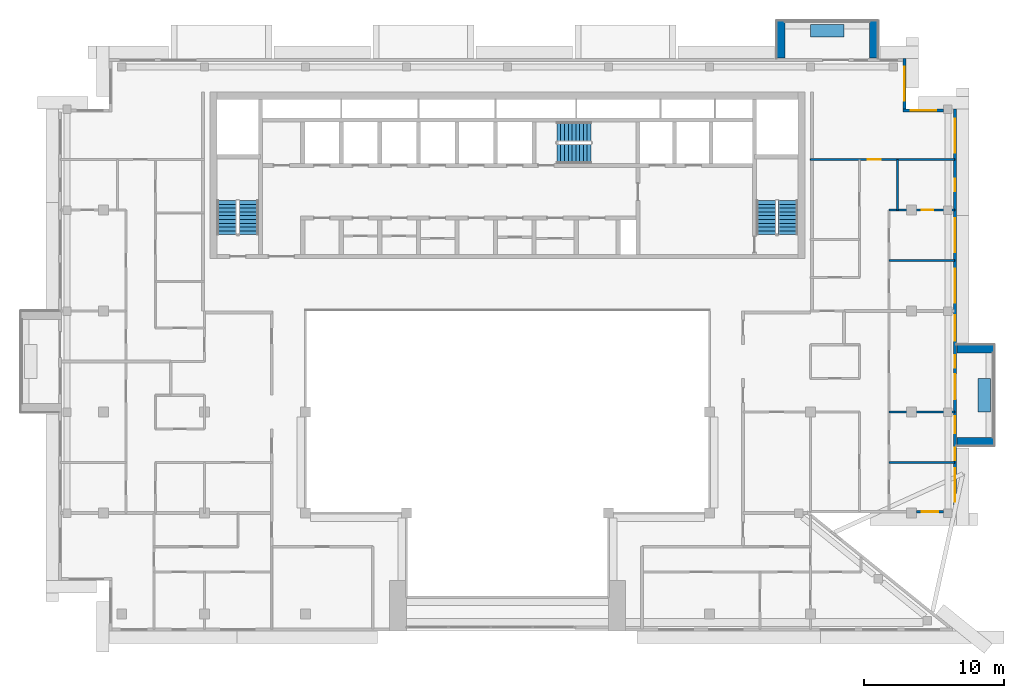
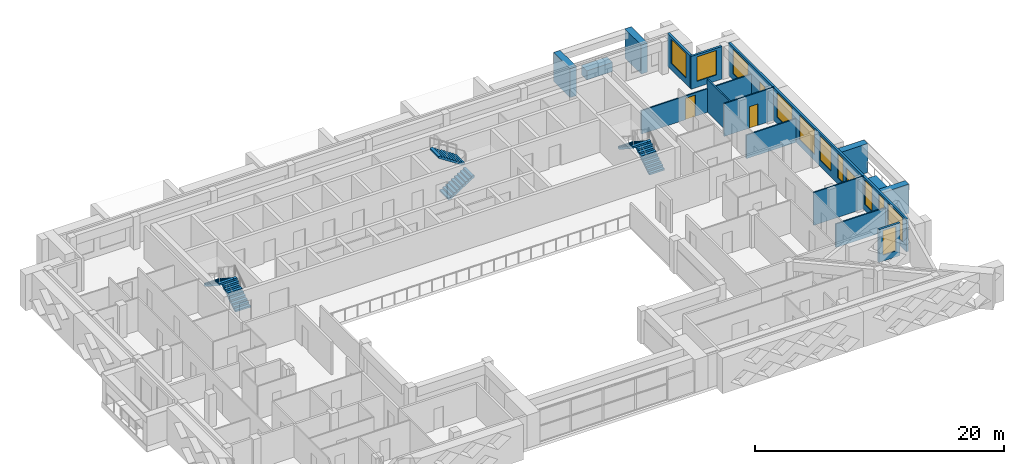
# One storey, part 11 of 18: 16 walls, 12 windows, 6 stair flights, 3 doors, 15 openings, 3 elements without a shape of their own.
"""IFC4 building model written with IfcOpenShell, lengths in metres."""

import ifcopenshell
import ifcopenshell.guid

model = None  # the IFC model being written
_history = None  # IfcOwnerHistory: only IFC2X3 demands one
_inside = {}  # id of a spatial element -> (the spatial element, [elements in it])
_under = {}  # id of a project, library or spatial element -> (it, [spatial elements below it])
_declared = {}  # id of a project -> (the project, [libraries it declares])
_typed = {}  # id of a type object -> (the type object, [elements of that type])
_made_of = {}  # id of a material, layer set ... -> (it, [elements and type objects made of it])


def new_model(schema):
    """Start an empty IFC model of exactly this schema.

    Asked for "IFC4X3", IfcOpenShell would pick the latest addendum, in which some entities
    have other attributes; the version numbers below select the first issue.
    IFC2X3 requires an IfcOwnerHistory on every rooted entity: one is made here for all.
    """
    global model, _history
    if schema == "IFC4X3":
        model = ifcopenshell.file(schema_version=(4, 3, 0, 0))
    else:
        model = ifcopenshell.file(schema=schema)
    _inside.clear()
    _under.clear()
    _declared.clear()
    _typed.clear()
    _made_of.clear()
    _history = None
    if model.schema == "IFC2X3":
        org = make("IfcOrganization", Name="unknown")
        user = make(
            "IfcPersonAndOrganization",
            ThePerson=make("IfcPerson", FamilyName="unknown"),
            TheOrganization=org,
        )
        app = make(
            "IfcApplication",
            ApplicationDeveloper=org,
            Version="unknown",
            ApplicationFullName="unknown",
            ApplicationIdentifier="unknown",
        )
        _history = make(
            "IfcOwnerHistory",
            OwningUser=user,
            OwningApplication=app,
            ChangeAction="ADDED",
            CreationDate=0,
        )
    return model


def make(cls, **values):
    """One entity of the class cls with the attributes given. An attribute that is None is left unset."""
    return model.create_entity(
        cls, **{name: value for name, value in values.items() if value is not None}
    )


def rooted(cls, **values):
    """An entity with a GlobalId (a new one), such as an element, a storey or a relation."""
    return make(cls, GlobalId=ifcopenshell.guid.new(), OwnerHistory=_history, **values)


def si_unit(unit_type, name, prefix=None):
    """IfcSIUnit, for example si_unit("LENGTHUNIT", "METRE", prefix="MILLI")."""
    return make("IfcSIUnit", UnitType=unit_type, Prefix=prefix, Name=name)


def assignment(units):
    """IfcUnitAssignment: the units of a project."""
    return None if units is None else make("IfcUnitAssignment", Units=units)


def point(xyz):
    """IfcCartesianPoint."""
    return None if xyz is None else make("IfcCartesianPoint", Coordinates=xyz)


def direction(xyz):
    """IfcDirection."""
    return None if xyz is None else make("IfcDirection", DirectionRatios=xyz)


def frame(location, z_axis=None, x_axis=None):
    """IfcAxis2Placement3D, a coordinate frame: its origin and axes. An axis left out is left unset."""
    return make(
        "IfcAxis2Placement3D",
        Location=point(location),
        Axis=direction(z_axis),
        RefDirection=direction(x_axis),
    )


def frame_2d(location, x_axis=None):
    """IfcAxis2Placement2D, a coordinate frame in the plane: its origin and x axis."""
    return make(
        "IfcAxis2Placement2D", Location=point(location), RefDirection=direction(x_axis)
    )


def origin():
    """The frame at (0, 0, 0) with its axes left unset."""
    return frame((0.0, 0.0, 0.0))


def place(relative_to, where):
    """IfcLocalPlacement: puts the frame where relative to a parent placement (None: the world)."""
    return make(
        "IfcLocalPlacement", PlacementRelTo=relative_to, RelativePlacement=where
    )


def context(
    kind, dimensions, precision=None, world=None, true_north=None, identifier=None
):
    """IfcGeometricRepresentationContext, for example the 3D "Model" context."""
    return make(
        "IfcGeometricRepresentationContext",
        ContextIdentifier=identifier,
        ContextType=kind,
        CoordinateSpaceDimension=dimensions,
        Precision=precision,
        WorldCoordinateSystem=world,
        TrueNorth=true_north,
    )


def subcontext(parent, identifier, kind, view, scale=None):
    """IfcGeometricRepresentationSubContext, for example "Body" below "Model"."""
    return make(
        "IfcGeometricRepresentationSubContext",
        ContextIdentifier=identifier,
        ContextType=kind,
        ParentContext=parent,
        TargetScale=scale,
        TargetView=view,
    )


def project(units=None, contexts=None):
    """IfcProject with its units and contexts."""
    return rooted(
        "IfcProject",
        Name="project",
        RepresentationContexts=contexts,
        UnitsInContext=assignment(units),
    )


def spatial(cls, under=None, at=None, **own):
    """A site, building, storey or space (cls), placed at a placement, below another one or the project."""
    s = rooted(cls, ObjectPlacement=at, **own)
    if under is not None:
        _under.setdefault(under.id(), (under, []))[1].append(s)
    return s


def polyline(points):
    """IfcPolyline through the points."""
    return make("IfcPolyline", Points=[point(p) for p in points])


def profile(cls, at=None, kind="AREA", **sizes):
    """A parametric profile (cls). Its sizes go by their IFC names, for example OverallWidth=200.0."""
    return make(cls, ProfileType=kind, Position=at, **sizes)


def rectangle(**sizes):
    """IfcRectangleProfileDef."""
    return profile("IfcRectangleProfileDef", **sizes)


def outline(outer, holes=None, kind="AREA"):
    """IfcArbitraryClosedProfileDef: a profile drawn as a closed curve; with holes, ...WithVoids."""
    if holes is None:
        return make("IfcArbitraryClosedProfileDef", ProfileType=kind, OuterCurve=outer)
    return make(
        "IfcArbitraryProfileDefWithVoids",
        ProfileType=kind,
        OuterCurve=outer,
        InnerCurves=holes,
    )


def extrude(swept, where, along, depth):
    """IfcExtrudedAreaSolid: the profile swept, set in the frame where, extruded along a direction by depth."""
    return make(
        "IfcExtrudedAreaSolid",
        SweptArea=swept,
        Position=where,
        ExtrudedDirection=direction(along),
        Depth=depth,
    )


def shape(context_of_items, identifier, shape_type, items):
    """IfcShapeRepresentation: the items that make up one representation, for example the "Body"."""
    return make(
        "IfcShapeRepresentation",
        ContextOfItems=context_of_items,
        RepresentationIdentifier=identifier,
        RepresentationType=shape_type,
        Items=items,
    )


def material(Name=None, Category=None):
    """IfcMaterial."""
    return make("IfcMaterial", Name=Name, Category=Category)


def layer(
    of_material, thickness, ventilated=None, Name=None, Category=None, Priority=None
):
    """IfcMaterialLayer: one layer of a wall or slab, of a material (None: an air gap)."""
    return make(
        "IfcMaterialLayer",
        Material=of_material,
        LayerThickness=thickness,
        IsVentilated=ventilated,
        Name=Name,
        Category=Category,
        Priority=Priority,
    )


def layer_set(layers, Name=None):
    """IfcMaterialLayerSet."""
    return make("IfcMaterialLayerSet", MaterialLayers=layers, LayerSetName=Name)


def made_of(thing, what):
    """Note that an element or type object is made of a material, layer set ...; save() writes the relation."""
    if what is not None:
        _made_of.setdefault(what.id(), (what, []))[1].append(thing)
    return thing


def type_object(cls, material=None, **own):
    """A type object (cls), such as IfcWallType, which elements share."""
    return made_of(rooted(cls, **own), material)


def element(
    cls,
    number,
    at=None,
    inside=None,
    cuts=None,
    type_object=None,
    material=None,
    context=None,
    identifier="Body",
    shape_type=None,
    held_by="IfcProductDefinitionShape",
    body=None,
    shapes=None,
    **own,
):
    """One element of the class cls, such as IfcWall. Its Tag is "e" and its number.

    at: its placement. inside: the storey or other place that contains it. cuts: it is an
    opening in that element (IfcRelVoidsElement). A single representation is given by context,
    identifier, shape_type and body (its items); several are given by shapes. held_by: the class
    of the entity that holds the representations. save() writes the other relations.
    """
    e = rooted(cls, Tag="e%d" % number, ObjectPlacement=at, **own)
    if body is not None:
        shapes = [shape(context, identifier, shape_type, body)]
    if shapes is not None:
        e.Representation = make(held_by, Representations=shapes)
    if inside is not None:
        _inside.setdefault(inside.id(), (inside, []))[1].append(e)
    if cuts is not None:
        rooted(
            "IfcRelVoidsElement", RelatingBuildingElement=cuts, RelatedOpeningElement=e
        )
    if type_object is not None:
        _typed.setdefault(type_object.id(), (type_object, []))[1].append(e)
    return made_of(e, material)


def fill(opening, filler):
    """IfcRelFillsElement: the door or window that sits in an opening."""
    return rooted(
        "IfcRelFillsElement",
        RelatingOpeningElement=opening,
        RelatedBuildingElement=filler,
    )


def aggregate(whole, parts):
    """IfcRelAggregates: a whole, such as a stair, and the parts it consists of."""
    return rooted("IfcRelAggregates", RelatingObject=whole, RelatedObjects=parts)


def save(model, path):
    """Write the relations noted so far, then the file.

    IfcRelAggregates (storeys below a building ...), IfcRelContainedInSpatialStructure (elements
    in a storey), IfcRelDefinesByType, IfcRelAssociatesMaterial and IfcRelDeclares: one each for
    every whole, place, type object, material and project.
    """
    for whole, parts in _under.values():
        aggregate(whole, parts)
    for where, things in _inside.values():
        rooted(
            "IfcRelContainedInSpatialStructure",
            RelatedElements=things,
            RelatingStructure=where,
        )
    for kind, things in _typed.values():
        rooted("IfcRelDefinesByType", RelatedObjects=things, RelatingType=kind)
    for what, things in _made_of.values():
        rooted("IfcRelAssociatesMaterial", RelatedObjects=things, RelatingMaterial=what)
    for by, libraries in _declared.values():
        rooted("IfcRelDeclares", RelatingContext=by, RelatedDefinitions=libraries)
    model.write(path)


model = new_model("IFC4")

# Units and contexts
model_context = context("Model", 3, precision=1e-05, world=origin(), true_north=direction((0.0, 1.0)))
body_context = subcontext(model_context, "Body", "Model", "MODEL_VIEW")
ifc_project = project(units=[si_unit("LENGTHUNIT", "METRE"), si_unit("AREAUNIT", "SQUARE_METRE"), si_unit("VOLUMEUNIT", "CUBIC_METRE"), si_unit("PLANEANGLEUNIT", "RADIAN"), si_unit("MASSUNIT", "GRAM", prefix="KILO")], contexts=[model_context])

# Site, building, storey
site_placement = place(None, origin())
site = spatial("IfcSite", under=ifc_project, at=site_placement, CompositionType="ELEMENT")
building_placement = place(site_placement, origin())
building = spatial("IfcBuilding", under=site, at=building_placement, Name="Saffron Iwan Residences", CompositionType="ELEMENT")
storey_placement = place(building_placement, frame((0.0, 0.0, 260.5)))
storey = spatial("IfcBuildingStorey", under=building, at=storey_placement, Name="L70", CompositionType="ELEMENT", Elevation=260.5)

# Walls
ifc_material_1 = material(Name="Concrete C50/60 white painted", Category="concrete")
ifc_layer_1 = layer(ifc_material_1, 0.60009765625)
ifc_layer_set_1 = layer_set([ifc_layer_1], Name="Concrete C50/60 white painted")
wall_type_1 = type_object("IfcWallType", Name="BALCONY FIN 600", PredefinedType="SOLIDWALL", material=ifc_layer_set_1)
for number, where, z_axis, x_axis, name in (
    (1, (82.449951171875, 53.10009765625, 0.0), (0.0, 0.0, 1.0), (1.0, 0.0, 0.0), "Balcony fin L70 F2-0a"),
    (2, (82.449951171875, 59.699951171875, 0.0), (0.0, 0.0, 1.0), (1.0, 0.0, 0.0), "Balcony fin L70 F2-0b"),
    (3, (76.5, 80.449951171875, 0.0), (0.0, 0.0, 1.0), (0.0, 1.0, 0.0), "Balcony fin L70 F5-0a"),
    (4, (69.89990234375, 80.449951171875, 0.0), (0.0, 0.0, 1.0), (0.0, 1.0, 0.0), "Balcony fin L70 F5-0b"),
):
    element("IfcWall", number, at=place(storey_placement, frame(where, z_axis=z_axis, x_axis=x_axis)), inside=storey, type_object=wall_type_1, Name=name, PredefinedType="SOLIDWALL", context=body_context, shape_type="SweptSolid", body=[
        extrude(rectangle(XDim=2.650146484375, YDim=0.60009765625, at=frame_2d((1.3251953125, 0.0))), origin(), (0.0, 0.0, 1.0), 2.85009765625),
    ])
ifc_material_2 = material(Name="Concrete C35/45 white painted", Category="concrete")
ifc_layer_2 = layer(ifc_material_2, 0.14990234375)
ifc_layer_set_2 = layer_set([ifc_layer_2], Name="Concrete C35/45 white painted")
wall_type_2 = type_object("IfcWallType", Name="BALCONY PLANTER", PredefinedType="SOLIDWALL", material=ifc_layer_set_2)
wall_1_placement = place(storey_placement, frame((84.375, 55.199951171875, 0.0), z_axis=(0.0, 0.0, 1.0), x_axis=(0.0, 1.0, 0.0)))
element("IfcWall", 5, at=wall_1_placement, inside=storey, type_object=wall_type_2, Name="PLANTER L70 F2-0", PredefinedType="SOLIDWALL", context=body_context, shape_type="SweptSolid", body=[
    extrude(rectangle(XDim=2.400146484375, YDim=0.89990234375, at=frame_2d((1.2001953125, 0.0))), origin(), (0.0, 0.0, 1.0), 0.89990234375),
])
wall_2_placement = place(storey_placement, frame((74.39990234375, 82.375, 0.0), z_axis=(0.0, 0.0, 1.0), x_axis=(-1.0, 0.0, 0.0)))
element("IfcWall", 6, at=wall_2_placement, inside=storey, type_object=wall_type_2, Name="PLANTER L70 F5-0", PredefinedType="SOLIDWALL", context=body_context, shape_type="SweptSolid", body=[
    extrude(rectangle(XDim=2.39990234375, YDim=0.89990234375, at=frame_2d((1.199951171875, 0.0))), origin(), (0.0, 0.0, 1.0), 0.89990234375),
])

# Wall, opening, window
ifc_material_3 = material(Name="Concrete C40/50", Category="concrete")
ifc_layer_3 = layer(ifc_material_3, 0.199951171875)
ifc_layer_set_3 = layer_set([ifc_layer_3], Name="Concrete C40/50")
wall_type_3 = type_object("IfcWallType", Name="EXTERNAL WALL 200", PredefinedType="SOLIDWALL", material=ifc_layer_set_3)
wall_3_placement = place(storey_placement, frame((79.550048828125, 48.10009765625, 0.0), z_axis=(0.0, 0.0, 1.0), x_axis=(1.0, 0.0, 0.0)))
wall_3 = element("IfcWall", 7, at=wall_3_placement, inside=storey, type_object=wall_type_3, Name="External wall L70 F1.1", PredefinedType="SOLIDWALL", context=body_context, shape_type="SweptSolid", body=[
    extrude(rectangle(XDim=1.949951171875, YDim=0.199951171875, at=frame_2d((0.97509765625, 0.0))), origin(), (0.0, 0.0, 1.0), 3.219970703125),
])
opening_1_placement = place(wall_3_placement, frame((0.375, 0.0, 0.60009765625)))
opening_1 = element("IfcOpeningElement", 8, at=opening_1_placement, cuts=wall_3, Name="Opening W3", PredefinedType="OPENING", context=body_context, shape_type="SweptSolid", body=[
    extrude(rectangle(XDim=1.199951171875, YDim=2.39990234375, at=frame_2d((0.60009765625, 1.199951171875))), frame((0.0, 0.10986328125, 0.0), z_axis=(0.0, -1.0, 0.0), x_axis=(1.0, 0.0, 0.0)), (0.0, 0.0, 1.0), 0.219970703125),
])
ifc_material_4 = material(Name="Clear glass, laminated double glazed", Category="glass")
window_type_1 = type_object("IfcWindowType", Name="WINDOW 1200 x 2400", PartitioningType="SINGLE_PANEL", PredefinedType="WINDOW", material=ifc_material_4)
window_1_placement = place(opening_1_placement, origin())
window_1 = element("IfcWindow", 9, at=window_1_placement, inside=storey, type_object=window_type_1, Name="Window L70 F1.0", OverallHeight=2.39990234375, OverallWidth=1.199951171875, PartitioningType="SINGLE_PANEL", PredefinedType="WINDOW", context=body_context, shape_type="SweptSolid", body=[
    extrude(rectangle(XDim=1.199951171875, YDim=2.39990234375, at=frame_2d((0.60009765625, 1.199951171875))), frame((0.0, 0.030029296875, 0.0), z_axis=(0.0, -1.0, 0.0), x_axis=(1.0, 0.0, 0.0)), (0.0, 0.0, 1.0), 0.06005859375),
])
fill(opening_1, window_1)

# Wall, openings, door, windows
wall_4_placement = place(storey_placement, frame((82.300048828125, 48.199951171875, 0.0), z_axis=(0.0, 0.0, 1.0), x_axis=(0.0, 1.0, 0.0)))
wall_4 = element("IfcWall", 10, at=wall_4_placement, inside=storey, type_object=wall_type_3, Name="External wall L70 F2.0", PredefinedType="SOLIDWALL", context=body_context, shape_type="SweptSolid", body=[
    extrude(rectangle(XDim=28.60009765625, YDim=0.199951171875, at=frame_2d((14.300048828125, 0.0))), origin(), (0.0, 0.0, 1.0), 3.219970703125),
])
opening_2_placement = place(wall_4_placement, frame((7.89990234375, 0.0, 0.0)))
opening_2 = element("IfcOpeningElement", 11, at=opening_2_placement, cuts=wall_4, Name="Opening BD1", PredefinedType="OPENING", context=body_context, shape_type="SweptSolid", body=[
    extrude(rectangle(XDim=1.800048828125, YDim=2.39990234375, at=frame_2d((0.89990234375, 1.199951171875))), frame((0.0, 0.10986328125, 0.0), z_axis=(0.0, -1.0, 0.0), x_axis=(1.0, 0.0, 0.0)), (0.0, 0.0, 1.0), 0.219970703125),
])
opening_3_placement = place(wall_4_placement, frame((0.60009765625, 0.0, 0.60009765625)))
opening_3 = element("IfcOpeningElement", 12, at=opening_3_placement, cuts=wall_4, Name="Opening W1", PredefinedType="OPENING", context=body_context, shape_type="SweptSolid", body=[
    extrude(rectangle(XDim=2.39990234375, YDim=2.39990234375, at=frame_2d((1.199951171875, 1.199951171875))), frame((0.0, 0.10986328125, 0.0), z_axis=(0.0, -1.0, 0.0), x_axis=(1.0, 0.0, 0.0)), (0.0, 0.0, 1.0), 0.219970703125),
])
opening_4_placement = place(wall_4_placement, frame((3.550048828125, 0.0, 0.60009765625)))
opening_4 = element("IfcOpeningElement", 13, at=opening_4_placement, cuts=wall_4, Name="Opening W10", PredefinedType="OPENING", context=body_context, shape_type="SweptSolid", body=[
    extrude(rectangle(XDim=0.89990234375, YDim=2.39990234375, at=frame_2d((0.449951171875, 1.199951171875))), frame((0.0, 0.10986328125, 0.0), z_axis=(0.0, -1.0, 0.0), x_axis=(1.0, 0.0, 0.0)), (0.0, 0.0, 1.0), 0.219970703125),
])
opening_5_placement = place(wall_4_placement, frame((5.5, 0.0, 0.60009765625)))
opening_5 = element("IfcOpeningElement", 14, at=opening_5_placement, cuts=wall_4, Name="Opening W3", PredefinedType="OPENING", context=body_context, shape_type="SweptSolid", body=[
    extrude(rectangle(XDim=1.199951171875, YDim=2.39990234375, at=frame_2d((0.60009765625, 1.199951171875))), frame((0.0, 0.10986328125, 0.0), z_axis=(0.0, -1.0, 0.0), x_axis=(1.0, 0.0, 0.0)), (0.0, 0.0, 1.0), 0.219970703125),
])
opening_6_placement = place(wall_4_placement, frame((10.14990234375, 0.0, 0.60009765625)))
opening_6 = element("IfcOpeningElement", 15, at=opening_6_placement, cuts=wall_4, Name="Opening W10", PredefinedType="OPENING", context=body_context, shape_type="SweptSolid", body=[
    extrude(rectangle(XDim=0.89990234375, YDim=2.39990234375, at=frame_2d((0.449951171875, 1.199951171875))), frame((0.0, 0.10986328125, 0.0), z_axis=(0.0, -1.0, 0.0), x_axis=(1.0, 0.0, 0.0)), (0.0, 0.0, 1.0), 0.219970703125),
])
opening_7_placement = place(wall_4_placement, frame((12.10009765625, 0.0, 0.60009765625)))
opening_7 = element("IfcOpeningElement", 16, at=opening_7_placement, cuts=wall_4, Name="Opening W8", PredefinedType="OPENING", context=body_context, shape_type="SweptSolid", body=[
    extrude(rectangle(XDim=1.800048828125, YDim=2.39990234375, at=frame_2d((0.89990234375, 1.199951171875))), frame((0.0, 0.10986328125, 0.0), z_axis=(0.0, -1.0, 0.0), x_axis=(1.0, 0.0, 0.0)), (0.0, 0.0, 1.0), 0.219970703125),
])
opening_8_placement = place(wall_4_placement, frame((14.800048828125, 0.0, 0.60009765625)))
opening_8 = element("IfcOpeningElement", 17, at=opening_8_placement, cuts=wall_4, Name="Opening W1", PredefinedType="OPENING", context=body_context, shape_type="SweptSolid", body=[
    extrude(rectangle(XDim=2.39990234375, YDim=2.39990234375, at=frame_2d((1.199951171875, 1.199951171875))), frame((0.0, 0.10986328125, 0.0), z_axis=(0.0, -1.0, 0.0), x_axis=(1.0, 0.0, 0.0)), (0.0, 0.0, 1.0), 0.219970703125),
])
opening_9_placement = place(wall_4_placement, frame((18.39990234375, 0.0, 0.60009765625)))
opening_9 = element("IfcOpeningElement", 18, at=opening_9_placement, cuts=wall_4, Name="Opening W1", PredefinedType="OPENING", context=body_context, shape_type="SweptSolid", body=[
    extrude(rectangle(XDim=2.39990234375, YDim=2.39990234375, at=frame_2d((1.199951171875, 1.199951171875))), frame((0.0, 0.10986328125, 0.0), z_axis=(0.0, -1.0, 0.0), x_axis=(1.0, 0.0, 0.0)), (0.0, 0.0, 1.0), 0.219970703125),
])
opening_10_placement = place(wall_4_placement, frame((22.75, 0.0, 1.5)))
opening_10 = element("IfcOpeningElement", 19, at=opening_10_placement, cuts=wall_4, Name="Opening W6", PredefinedType="OPENING", context=body_context, shape_type="SweptSolid", body=[
    extrude(rectangle(XDim=0.89990234375, YDim=0.89990234375, at=frame_2d((0.449951171875, 0.449951171875))), frame((0.0, 0.10986328125, 0.0), z_axis=(0.0, -1.0, 0.0), x_axis=(1.0, 0.0, 0.0)), (0.0, 0.0, 1.0), 0.219970703125),
])
opening_11_placement = place(wall_4_placement, frame((25.5, 0.0, 0.60009765625)))
opening_11 = element("IfcOpeningElement", 20, at=opening_11_placement, cuts=wall_4, Name="Opening W1", PredefinedType="OPENING", context=body_context, shape_type="SweptSolid", body=[
    extrude(rectangle(XDim=2.39990234375, YDim=2.39990234375, at=frame_2d((1.199951171875, 1.199951171875))), frame((0.0, 0.10986328125, 0.0), z_axis=(0.0, -1.0, 0.0), x_axis=(1.0, 0.0, 0.0)), (0.0, 0.0, 1.0), 0.219970703125),
])
door_type_1 = type_object("IfcDoorType", Name="BALCONY DOOR 1800 x 2400", OperationType="DOUBLE_DOOR_SLIDING", PredefinedType="DOOR", material=ifc_material_4)
door_1_placement = place(opening_2_placement, origin())
door_1 = element("IfcDoor", 21, at=door_1_placement, inside=storey, type_object=door_type_1, Name="Balcony door L70 F2.0", OperationType="DOUBLE_DOOR_SLIDING", OverallHeight=2.39990234375, OverallWidth=1.800048828125, PredefinedType="DOOR", context=body_context, shape_type="SweptSolid", body=[
    extrude(rectangle(XDim=1.800048828125, YDim=2.39990234375, at=frame_2d((0.89990234375, 1.199951171875))), frame((0.0, 0.02490234375, 0.0), z_axis=(0.0, -1.0, 0.0), x_axis=(1.0, 0.0, 0.0)), (0.0, 0.0, 1.0), 0.050048828125),
])
fill(opening_2, door_1)
window_2_placement = place(opening_5_placement, origin())
window_2 = element("IfcWindow", 22, at=window_2_placement, inside=storey, type_object=window_type_1, Name="Window L70 F2.3", OverallHeight=2.39990234375, OverallWidth=1.199951171875, PartitioningType="SINGLE_PANEL", PredefinedType="WINDOW", context=body_context, shape_type="SweptSolid", body=[
    extrude(rectangle(XDim=1.199951171875, YDim=2.39990234375, at=frame_2d((0.60009765625, 1.199951171875))), frame((0.0, 0.030029296875, 0.0), z_axis=(0.0, -1.0, 0.0), x_axis=(1.0, 0.0, 0.0)), (0.0, 0.0, 1.0), 0.06005859375),
])
fill(opening_5, window_2)
window_type_2 = type_object("IfcWindowType", Name="WINDOW 1800 x 2400", PartitioningType="DOUBLE_PANEL_VERTICAL", PredefinedType="WINDOW", material=ifc_material_4)
window_3_placement = place(opening_7_placement, origin())
window_3 = element("IfcWindow", 23, at=window_3_placement, inside=storey, type_object=window_type_2, Name="Window L70 F2.5", OverallHeight=2.39990234375, OverallWidth=1.800048828125, PartitioningType="DOUBLE_PANEL_VERTICAL", PredefinedType="WINDOW", context=body_context, shape_type="SweptSolid", body=[
    extrude(rectangle(XDim=1.800048828125, YDim=2.39990234375, at=frame_2d((0.89990234375, 1.199951171875))), frame((0.0, 0.030029296875, 0.0), z_axis=(0.0, -1.0, 0.0), x_axis=(1.0, 0.0, 0.0)), (0.0, 0.0, 1.0), 0.06005859375),
])
fill(opening_7, window_3)
window_type_3 = type_object("IfcWindowType", Name="WINDOW 2400 x 2400", PartitioningType="DOUBLE_PANEL_VERTICAL", PredefinedType="WINDOW", material=ifc_material_4)
window_4_placement = place(opening_3_placement, origin())
window_4 = element("IfcWindow", 24, at=window_4_placement, inside=storey, type_object=window_type_3, Name="Window L70 F2.1", OverallHeight=2.39990234375, OverallWidth=2.39990234375, PartitioningType="DOUBLE_PANEL_VERTICAL", PredefinedType="WINDOW", context=body_context, shape_type="SweptSolid", body=[
    extrude(rectangle(XDim=2.39990234375, YDim=2.39990234375, at=frame_2d((1.199951171875, 1.199951171875))), frame((0.0, 0.030029296875, 0.0), z_axis=(0.0, -1.0, 0.0), x_axis=(1.0, 0.0, 0.0)), (0.0, 0.0, 1.0), 0.06005859375),
])
fill(opening_3, window_4)
window_5_placement = place(opening_8_placement, origin())
window_5 = element("IfcWindow", 25, at=window_5_placement, inside=storey, type_object=window_type_3, Name="Window L70 F2.6", OverallHeight=2.39990234375, OverallWidth=2.39990234375, PartitioningType="DOUBLE_PANEL_VERTICAL", PredefinedType="WINDOW", context=body_context, shape_type="SweptSolid", body=[
    extrude(rectangle(XDim=2.39990234375, YDim=2.39990234375, at=frame_2d((1.199951171875, 1.199951171875))), frame((0.0, 0.030029296875, 0.0), z_axis=(0.0, -1.0, 0.0), x_axis=(1.0, 0.0, 0.0)), (0.0, 0.0, 1.0), 0.06005859375),
])
fill(opening_8, window_5)
window_6_placement = place(opening_9_placement, origin())
window_6 = element("IfcWindow", 26, at=window_6_placement, inside=storey, type_object=window_type_3, Name="Window L70 F2.7", OverallHeight=2.39990234375, OverallWidth=2.39990234375, PartitioningType="DOUBLE_PANEL_VERTICAL", PredefinedType="WINDOW", context=body_context, shape_type="SweptSolid", body=[
    extrude(rectangle(XDim=2.39990234375, YDim=2.39990234375, at=frame_2d((1.199951171875, 1.199951171875))), frame((0.0, 0.030029296875, 0.0), z_axis=(0.0, -1.0, 0.0), x_axis=(1.0, 0.0, 0.0)), (0.0, 0.0, 1.0), 0.06005859375),
])
fill(opening_9, window_6)
window_7_placement = place(opening_11_placement, origin())
window_7 = element("IfcWindow", 27, at=window_7_placement, inside=storey, type_object=window_type_3, Name="Window L70 F2.9", OverallHeight=2.39990234375, OverallWidth=2.39990234375, PartitioningType="DOUBLE_PANEL_VERTICAL", PredefinedType="WINDOW", context=body_context, shape_type="SweptSolid", body=[
    extrude(rectangle(XDim=2.39990234375, YDim=2.39990234375, at=frame_2d((1.199951171875, 1.199951171875))), frame((0.0, 0.030029296875, 0.0), z_axis=(0.0, -1.0, 0.0), x_axis=(1.0, 0.0, 0.0)), (0.0, 0.0, 1.0), 0.06005859375),
])
fill(opening_11, window_7)
window_type_4 = type_object("IfcWindowType", Name="WINDOW 900 x 2400", PartitioningType="SINGLE_PANEL", PredefinedType="WINDOW", material=ifc_material_4)
window_8_placement = place(opening_4_placement, origin())
window_8 = element("IfcWindow", 28, at=window_8_placement, inside=storey, type_object=window_type_4, Name="Window L70 F2.2", OverallHeight=2.39990234375, OverallWidth=0.89990234375, PartitioningType="SINGLE_PANEL", PredefinedType="WINDOW", context=body_context, shape_type="SweptSolid", body=[
    extrude(rectangle(XDim=0.89990234375, YDim=2.39990234375, at=frame_2d((0.449951171875, 1.199951171875))), frame((0.0, 0.030029296875, 0.0), z_axis=(0.0, -1.0, 0.0), x_axis=(1.0, 0.0, 0.0)), (0.0, 0.0, 1.0), 0.06005859375),
])
fill(opening_4, window_8)
window_9_placement = place(opening_6_placement, origin())
window_9 = element("IfcWindow", 29, at=window_9_placement, inside=storey, type_object=window_type_4, Name="Window L70 F2.4", OverallHeight=2.39990234375, OverallWidth=0.89990234375, PartitioningType="SINGLE_PANEL", PredefinedType="WINDOW", context=body_context, shape_type="SweptSolid", body=[
    extrude(rectangle(XDim=0.89990234375, YDim=2.39990234375, at=frame_2d((0.449951171875, 1.199951171875))), frame((0.0, 0.030029296875, 0.0), z_axis=(0.0, -1.0, 0.0), x_axis=(1.0, 0.0, 0.0)), (0.0, 0.0, 1.0), 0.06005859375),
])
fill(opening_6, window_9)
window_type_5 = type_object("IfcWindowType", Name="WINDOW 900 x 900 BATH", PartitioningType="SINGLE_PANEL", PredefinedType="WINDOW", material=ifc_material_4)
window_10_placement = place(opening_10_placement, origin())
window_10 = element("IfcWindow", 30, at=window_10_placement, inside=storey, type_object=window_type_5, Name="Window L70 F2.8", OverallHeight=0.89990234375, OverallWidth=0.89990234375, PartitioningType="SINGLE_PANEL", PredefinedType="WINDOW", context=body_context, shape_type="SweptSolid", body=[
    extrude(rectangle(XDim=0.89990234375, YDim=0.89990234375, at=frame_2d((0.449951171875, 0.449951171875))), frame((0.0, 0.030029296875, 0.0), z_axis=(0.0, -1.0, 0.0), x_axis=(1.0, 0.0, 0.0)), (0.0, 0.0, 1.0), 0.06005859375),
])
fill(opening_10, window_10)

# Wall, opening, window
wall_5_placement = place(storey_placement, frame((81.5, 76.699951171875, 0.0), z_axis=(0.0, 0.0, 1.0), x_axis=(-1.0, 0.0, 0.0)))
wall_5 = element("IfcWall", 31, at=wall_5_placement, inside=storey, type_object=wall_type_3, Name="External wall L70 F3.0", PredefinedType="SOLIDWALL", context=body_context, shape_type="SweptSolid", body=[
    extrude(rectangle(XDim=2.89990234375, YDim=0.199951171875, at=frame_2d((1.449951171875, 0.0))), origin(), (0.0, 0.0, 1.0), 3.219970703125),
])
opening_12_placement = place(wall_5_placement, frame((0.550048828125, 0.0, 0.60009765625)))
opening_12 = element("IfcOpeningElement", 32, at=opening_12_placement, cuts=wall_5, Name="Opening W8", PredefinedType="OPENING", context=body_context, shape_type="SweptSolid", body=[
    extrude(rectangle(XDim=1.800048828125, YDim=2.39990234375, at=frame_2d((0.89990234375, 1.199951171875))), frame((0.0, 0.10986328125, 0.0), z_axis=(0.0, -1.0, 0.0), x_axis=(1.0, 0.0, 0.0)), (0.0, 0.0, 1.0), 0.219970703125),
])
window_11_placement = place(opening_12_placement, origin())
window_11 = element("IfcWindow", 33, at=window_11_placement, inside=storey, type_object=window_type_2, Name="Window L70 F3.0", OverallHeight=2.39990234375, OverallWidth=1.800048828125, PartitioningType="DOUBLE_PANEL_VERTICAL", PredefinedType="WINDOW", context=body_context, shape_type="SweptSolid", body=[
    extrude(rectangle(XDim=1.800048828125, YDim=2.39990234375, at=frame_2d((0.89990234375, 1.199951171875))), frame((0.0, 0.030029296875, 0.0), z_axis=(0.0, -1.0, 0.0), x_axis=(1.0, 0.0, 0.0)), (0.0, 0.0, 1.0), 0.06005859375),
])
fill(opening_12, window_11)

wall_6_placement = place(storey_placement, frame((78.699951171875, 76.800048828125, 0.0), z_axis=(0.0, 0.0, 1.0), x_axis=(0.0, 1.0, 0.0)))
wall_6 = element("IfcWall", 34, at=wall_6_placement, inside=storey, type_object=wall_type_3, Name="External wall L70 F4.0", PredefinedType="SOLIDWALL", context=body_context, shape_type="SweptSolid", body=[
    extrude(rectangle(XDim=3.599853515625, YDim=0.199951171875, at=frame_2d((1.7998046875, 0.0))), origin(), (0.0, 0.0, 1.0), 3.219970703125),
])
opening_13_placement = place(wall_6_placement, frame((0.60009765625, 0.0, 0.60009765625)))
opening_13 = element("IfcOpeningElement", 35, at=opening_13_placement, cuts=wall_6, Name="Opening W1", PredefinedType="OPENING", context=body_context, shape_type="SweptSolid", body=[
    extrude(rectangle(XDim=2.39990234375, YDim=2.39990234375, at=frame_2d((1.199951171875, 1.199951171875))), frame((0.0, 0.10986328125, 0.0), z_axis=(0.0, -1.0, 0.0), x_axis=(1.0, 0.0, 0.0)), (0.0, 0.0, 1.0), 0.219970703125),
])
window_12_placement = place(opening_13_placement, origin())
window_12 = element("IfcWindow", 36, at=window_12_placement, inside=storey, type_object=window_type_3, Name="Window L70 F4.0", OverallHeight=2.39990234375, OverallWidth=2.39990234375, PartitioningType="DOUBLE_PANEL_VERTICAL", PredefinedType="WINDOW", context=body_context, shape_type="SweptSolid", body=[
    extrude(rectangle(XDim=2.39990234375, YDim=2.39990234375, at=frame_2d((1.199951171875, 1.199951171875))), frame((0.0, 0.030029296875, 0.0), z_axis=(0.0, -1.0, 0.0), x_axis=(1.0, 0.0, 0.0)), (0.0, 0.0, 1.0), 0.06005859375),
])
fill(opening_13, window_12)

# Walls
ifc_material_5 = material(Name="Gypsum board partition")
ifc_layer_4 = layer(ifc_material_5, 0.1201171875)
ifc_layer_set_4 = layer_set([ifc_layer_4], Name="Gypsum board partition")
wall_type_4 = type_object("IfcWallType", Name="Flat partition 120", PredefinedType="PARTITIONING", material=ifc_layer_set_4)
wall_7_placement = place(storey_placement, frame((77.60009765625, 51.60009765625, 0.0), z_axis=(0.0, 0.0, 1.0), x_axis=(1.0, 0.0, 0.0)))
element("IfcWall", 37, at=wall_7_placement, inside=storey, type_object=wall_type_4, Name="W-L70-PART-h51.6-77.6", PredefinedType="PARTITIONING", context=body_context, shape_type="SweptSolid", body=[
    extrude(rectangle(XDim=4.6748046875, YDim=0.1201171875, at=frame_2d((2.33740234375, 0.0))), origin(), (0.0, 0.0, 1.0), 2.320068359375),
])
wall_8_placement = place(storey_placement, frame((77.60009765625, 55.199951171875, 0.0), z_axis=(0.0, 0.0, 1.0), x_axis=(1.0, 0.0, 0.0)))
element("IfcWall", 38, at=wall_8_placement, inside=storey, type_object=wall_type_4, Name="W-L70-PART-h55.2-77.6", PredefinedType="PARTITIONING", context=body_context, shape_type="SweptSolid", body=[
    extrude(rectangle(XDim=4.6748046875, YDim=0.1201171875, at=frame_2d((2.33740234375, 0.0))), origin(), (0.0, 0.0, 1.0), 3.219970703125),
])
wall_9_placement = place(storey_placement, frame((77.60009765625, 66.0, 0.0), z_axis=(0.0, 0.0, 1.0), x_axis=(1.0, 0.0, 0.0)))
element("IfcWall", 39, at=wall_9_placement, inside=storey, type_object=wall_type_4, Name="W-L70-PART-h66-77.6", PredefinedType="PARTITIONING", context=body_context, shape_type="SweptSolid", body=[
    extrude(rectangle(XDim=4.6748046875, YDim=0.1201171875, at=frame_2d((2.33740234375, 0.0))), origin(), (0.0, 0.0, 1.0), 2.320068359375),
])

# Wall, opening, door
wall_10_placement = place(storey_placement, frame((77.60009765625, 69.60009765625, 0.0), z_axis=(0.0, 0.0, 1.0), x_axis=(1.0, 0.0, 0.0)))
wall_10 = element("IfcWall", 40, at=wall_10_placement, inside=storey, type_object=wall_type_4, Name="W-L70-PART-h69.6-77.6", PredefinedType="PARTITIONING", context=body_context, shape_type="SweptSolid", body=[
    extrude(rectangle(XDim=4.6748046875, YDim=0.1201171875, at=frame_2d((2.33740234375, 0.0))), origin(), (0.0, 0.0, 1.0), 3.219970703125),
])
opening_14_placement = place(wall_10_placement, frame((2.33740234375, 0.0, 0.0)))
opening_14 = element("IfcOpeningElement", 41, at=opening_14_placement, cuts=wall_10, Name="Opening FD3", PredefinedType="OPENING", context=body_context, shape_type="SweptSolid", body=[
    extrude(rectangle(XDim=0.800048828125, YDim=2.10009765625, at=frame_2d((0.39990234375, 1.050048828125))), frame((0.0, 0.070068359375, 0.0), z_axis=(0.0, -1.0, 0.0), x_axis=(1.0, 0.0, 0.0)), (0.0, 0.0, 1.0), 0.14013671875),
])
ifc_material_6 = material(Name="Timber door", Category="wood")
door_type_2 = type_object("IfcDoorType", Name="Bathroom door 800", OperationType="NOTDEFINED", PredefinedType="DOOR", material=ifc_material_6)
door_2_placement = place(opening_14_placement, origin())
door_2 = element("IfcDoor", 42, at=door_2_placement, inside=storey, type_object=door_type_2, Name="Door L70-033", OperationType="SINGLE_SWING_LEFT", OverallHeight=2.10009765625, OverallWidth=0.800048828125, PredefinedType="DOOR", context=body_context, shape_type="SweptSolid", body=[
    extrude(rectangle(XDim=0.800048828125, YDim=2.10009765625, at=frame_2d((0.39990234375, 1.050048828125))), frame((0.0, 0.02490234375, 0.0), z_axis=(0.0, -1.0, 0.0), x_axis=(1.0, 0.0, 0.0)), (0.0, 0.0, 1.0), 0.050048828125),
])
fill(opening_14, door_2)

wall_11_placement = place(storey_placement, frame((72.0, 73.199951171875, 0.0), z_axis=(0.0, 0.0, 1.0), x_axis=(1.0, 0.0, 0.0)))
wall_11 = element("IfcWall", 43, at=wall_11_placement, inside=storey, type_object=wall_type_4, Name="W-L70-PART-h73.2-72", PredefinedType="PARTITIONING", context=body_context, shape_type="SweptSolid", body=[
    extrude(rectangle(XDim=10.27490234375, YDim=0.1201171875, at=frame_2d((5.137451171875, 0.0))), origin(), (0.0, 0.0, 1.0), 2.320068359375),
])
opening_15_placement = place(wall_11_placement, frame((4.10009765625, 0.0, 0.0)))
opening_15 = element("IfcOpeningElement", 44, at=opening_15_placement, cuts=wall_11, Name="Opening FD2", PredefinedType="OPENING", context=body_context, shape_type="SweptSolid", body=[
    extrude(rectangle(XDim=0.89990234375, YDim=2.10009765625, at=frame_2d((0.449951171875, 1.050048828125))), frame((0.0, 0.070068359375, 0.0), z_axis=(0.0, -1.0, 0.0), x_axis=(1.0, 0.0, 0.0)), (0.0, 0.0, 1.0), 0.14013671875),
])
door_type_3 = type_object("IfcDoorType", Name="Flat door 900", OperationType="NOTDEFINED", PredefinedType="DOOR", material=ifc_material_6)
door_3_placement = place(opening_15_placement, origin())
door_3 = element("IfcDoor", 45, at=door_3_placement, inside=storey, type_object=door_type_3, Name="Door L70-034", OperationType="SINGLE_SWING_LEFT", OverallHeight=2.10009765625, OverallWidth=0.89990234375, PredefinedType="DOOR", context=body_context, shape_type="SweptSolid", body=[
    extrude(rectangle(XDim=0.89990234375, YDim=2.10009765625, at=frame_2d((0.449951171875, 1.050048828125))), frame((0.0, 0.02490234375, 0.0), z_axis=(0.0, -1.0, 0.0), x_axis=(1.0, 0.0, 0.0)), (0.0, 0.0, 1.0), 0.050048828125),
])
fill(opening_15, door_3)

# Wall
wall_12_placement = place(storey_placement, frame((78.199951171875, 69.60009765625, 0.0), z_axis=(0.0, 0.0, 1.0), x_axis=(0.0, 1.0, 0.0)))
element("IfcWall", 46, at=wall_12_placement, inside=storey, type_object=wall_type_4, Name="W-L70-PART-v78.2-69.6", PredefinedType="PARTITIONING", context=body_context, shape_type="SweptSolid", body=[
    extrude(rectangle(XDim=3.599853515625, YDim=0.1201171875, at=frame_2d((1.7998046875, 0.0))), origin(), (0.0, 0.0, 1.0), 3.219970703125),
])

# Stair, stair flights
ifc_material_7 = material(Name="Concrete C50/60", Category="concrete")
stair_type = type_object("IfcStairType", Name="Stair ST-CORE", PredefinedType="HALF_TURN_STAIR", material=ifc_material_7)
stair_1_placement = place(storey_placement, origin())
stair_1 = element("IfcStair", 47, at=stair_1_placement, inside=storey, type_object=stair_type, Name="L70 Exit Stair ST-W", PredefinedType="HALF_TURN_STAIR")
ifc_layer_5 = layer(ifc_material_7, 0.14990234375)
ifc_layer_set_5 = layer_set([ifc_layer_5], Name="Concrete C50/60")
stair_flight_type = type_object("IfcStairFlightType", Name="Stair flight SFL-RC", PredefinedType="STRAIGHT", material=ifc_layer_set_5)
stair_flight_1_placement = place(storey_placement, frame((31.949951171875, 67.85009765625, 0.0), z_axis=(0.0, 0.0, 1.0), x_axis=(0.0, 1.0, 0.0)))
stair_flight_1 = element("IfcStairFlight", 48, at=stair_flight_1_placement, type_object=stair_flight_type, Name="ST-W flight 1", NumberOfRisers=10, NumberOfTreads=9, PredefinedType="STRAIGHT", RiserHeight=0.175, TreadLength=0.27, context=body_context, shape_type="SweptSolid", body=[
    extrude(outline(polyline([(0.0, 0.0), (0.0, 0.175048828125), (0.27001953125, 0.175048828125), (0.27001953125, 0.35009765625), (0.5400390625, 0.35009765625), (0.5400390625, 0.52490234375), (0.81005859375, 0.52490234375), (0.81005859375, 0.699951171875), (1.080078125, 0.699951171875), (1.080078125, 0.875), (1.35009765625, 0.875), (1.35009765625, 1.050048828125), (1.6201171875, 1.050048828125), (1.6201171875, 1.22509765625), (1.889892578125, 1.22509765625), (1.889892578125, 1.39990234375), (2.159912109375, 1.39990234375), (2.159912109375, 1.574951171875), (2.429931640625, 1.574951171875), (2.429931640625, 1.75), (2.429931640625, 1.396484375), (0.275634765625, 0.0), (0.0, 0.0)])), frame((0.0, 0.699951171875, 0.0), z_axis=(0.0, -1.0, 0.0), x_axis=(1.0, 0.0, 0.0)), (0.0, 0.0, 1.0), 1.39990234375),
])
stair_flight_2_placement = place(storey_placement, frame((30.39990234375, 70.280029296875, 1.75), z_axis=(0.0, 0.0, 1.0), x_axis=(0.0, -1.0, 0.0)))
stair_flight_2 = element("IfcStairFlight", 49, at=stair_flight_2_placement, type_object=stair_flight_type, Name="ST-W flight 2", NumberOfRisers=10, NumberOfTreads=9, PredefinedType="STRAIGHT", RiserHeight=0.175, TreadLength=0.27, context=body_context, shape_type="SweptSolid", body=[
    extrude(outline(polyline([(0.0, 0.0), (0.0, 0.175048828125), (0.27001953125, 0.175048828125), (0.27001953125, 0.35009765625), (0.5400390625, 0.35009765625), (0.5400390625, 0.52490234375), (0.81005859375, 0.52490234375), (0.81005859375, 0.699951171875), (1.080078125, 0.699951171875), (1.080078125, 0.875), (1.35009765625, 0.875), (1.35009765625, 1.050048828125), (1.6201171875, 1.050048828125), (1.6201171875, 1.22509765625), (1.889892578125, 1.22509765625), (1.889892578125, 1.39990234375), (2.159912109375, 1.39990234375), (2.159912109375, 1.574951171875), (2.429931640625, 1.574951171875), (2.429931640625, 1.75), (2.429931640625, 1.396484375), (0.275634765625, 0.0), (0.0, 0.0)])), frame((0.0, 0.699951171875, 0.0), z_axis=(0.0, -1.0, 0.0), x_axis=(1.0, 0.0, 0.0)), (0.0, 0.0, 1.0), 1.39990234375),
])
aggregate(stair_1, [stair_flight_1, stair_flight_2])

stair_2_placement = place(storey_placement, origin())
stair_2 = element("IfcStair", 50, at=stair_2_placement, inside=storey, type_object=stair_type, Name="L70 Exit Stair ST-C", PredefinedType="HALF_TURN_STAIR")
stair_flight_3_placement = place(storey_placement, frame((53.925048828125, 73.625, 0.0), z_axis=(0.0, 0.0, 1.0), x_axis=(1.0, 0.0, 0.0)))
stair_flight_3 = element("IfcStairFlight", 51, at=stair_flight_3_placement, type_object=stair_flight_type, Name="ST-C flight 1", NumberOfRisers=10, NumberOfTreads=9, PredefinedType="STRAIGHT", RiserHeight=0.175, TreadLength=0.27, context=body_context, shape_type="SweptSolid", body=[
    extrude(outline(polyline([(0.0, 0.0), (0.0, 0.175048828125), (0.27001953125, 0.175048828125), (0.27001953125, 0.35009765625), (0.5400390625, 0.35009765625), (0.5400390625, 0.52490234375), (0.81005859375, 0.52490234375), (0.81005859375, 0.699951171875), (1.080078125, 0.699951171875), (1.080078125, 0.875), (1.35009765625, 0.875), (1.35009765625, 1.050048828125), (1.6201171875, 1.050048828125), (1.6201171875, 1.22509765625), (1.889892578125, 1.22509765625), (1.889892578125, 1.39990234375), (2.159912109375, 1.39990234375), (2.159912109375, 1.574951171875), (2.429931640625, 1.574951171875), (2.429931640625, 1.75), (2.429931640625, 1.396484375), (0.275634765625, 0.0), (0.0, 0.0)])), frame((0.0, 0.699951171875, 0.0), z_axis=(0.0, -1.0, 0.0), x_axis=(1.0, 0.0, 0.0)), (0.0, 0.0, 1.0), 1.39990234375),
])
stair_flight_4_placement = place(storey_placement, frame((56.35498046875, 75.175048828125, 1.75), z_axis=(0.0, 0.0, 1.0), x_axis=(-1.0, 0.0, 0.0)))
stair_flight_4 = element("IfcStairFlight", 52, at=stair_flight_4_placement, type_object=stair_flight_type, Name="ST-C flight 2", NumberOfRisers=10, NumberOfTreads=9, PredefinedType="STRAIGHT", RiserHeight=0.175, TreadLength=0.27, context=body_context, shape_type="SweptSolid", body=[
    extrude(outline(polyline([(0.0, 0.0), (0.0, 0.175048828125), (0.27001953125, 0.175048828125), (0.27001953125, 0.35009765625), (0.5400390625, 0.35009765625), (0.5400390625, 0.52490234375), (0.81005859375, 0.52490234375), (0.81005859375, 0.699951171875), (1.080078125, 0.699951171875), (1.080078125, 0.875), (1.35009765625, 0.875), (1.35009765625, 1.050048828125), (1.6201171875, 1.050048828125), (1.6201171875, 1.22509765625), (1.889892578125, 1.22509765625), (1.889892578125, 1.39990234375), (2.159912109375, 1.39990234375), (2.159912109375, 1.574951171875), (2.429931640625, 1.574951171875), (2.429931640625, 1.75), (2.429931640625, 1.396484375), (0.275634765625, 0.0), (0.0, 0.0)])), frame((0.0, 0.699951171875, 0.0), z_axis=(0.0, -1.0, 0.0), x_axis=(1.0, 0.0, 0.0)), (0.0, 0.0, 1.0), 1.39990234375),
])
aggregate(stair_2, [stair_flight_3, stair_flight_4])

stair_3_placement = place(storey_placement, origin())
stair_3 = element("IfcStair", 53, at=stair_3_placement, inside=storey, type_object=stair_type, Name="L70 Exit Stair ST-E", PredefinedType="HALF_TURN_STAIR")
stair_flight_5_placement = place(storey_placement, frame((70.39990234375, 67.85009765625, 0.0), z_axis=(0.0, 0.0, 1.0), x_axis=(0.0, 1.0, 0.0)))
stair_flight_5 = element("IfcStairFlight", 54, at=stair_flight_5_placement, type_object=stair_flight_type, Name="ST-E flight 1", NumberOfRisers=10, NumberOfTreads=9, PredefinedType="STRAIGHT", RiserHeight=0.175, TreadLength=0.27, context=body_context, shape_type="SweptSolid", body=[
    extrude(outline(polyline([(0.0, 0.0), (0.0, 0.175048828125), (0.27001953125, 0.175048828125), (0.27001953125, 0.35009765625), (0.5400390625, 0.35009765625), (0.5400390625, 0.52490234375), (0.81005859375, 0.52490234375), (0.81005859375, 0.699951171875), (1.080078125, 0.699951171875), (1.080078125, 0.875), (1.35009765625, 0.875), (1.35009765625, 1.050048828125), (1.6201171875, 1.050048828125), (1.6201171875, 1.22509765625), (1.889892578125, 1.22509765625), (1.889892578125, 1.39990234375), (2.159912109375, 1.39990234375), (2.159912109375, 1.574951171875), (2.429931640625, 1.574951171875), (2.429931640625, 1.75), (2.429931640625, 1.396484375), (0.275634765625, 0.0), (0.0, 0.0)])), frame((0.0, 0.699951171875, 0.0), z_axis=(0.0, -1.0, 0.0), x_axis=(1.0, 0.0, 0.0)), (0.0, 0.0, 1.0), 1.39990234375),
])
stair_flight_6_placement = place(storey_placement, frame((68.85009765625, 70.280029296875, 1.75), z_axis=(0.0, 0.0, 1.0), x_axis=(0.0, -1.0, 0.0)))
stair_flight_6 = element("IfcStairFlight", 55, at=stair_flight_6_placement, type_object=stair_flight_type, Name="ST-E flight 2", NumberOfRisers=10, NumberOfTreads=9, PredefinedType="STRAIGHT", RiserHeight=0.175, TreadLength=0.27, context=body_context, shape_type="SweptSolid", body=[
    extrude(outline(polyline([(0.0, 0.0), (0.0, 0.175048828125), (0.27001953125, 0.175048828125), (0.27001953125, 0.35009765625), (0.5400390625, 0.35009765625), (0.5400390625, 0.52490234375), (0.81005859375, 0.52490234375), (0.81005859375, 0.699951171875), (1.080078125, 0.699951171875), (1.080078125, 0.875), (1.35009765625, 0.875), (1.35009765625, 1.050048828125), (1.6201171875, 1.050048828125), (1.6201171875, 1.22509765625), (1.889892578125, 1.22509765625), (1.889892578125, 1.39990234375), (2.159912109375, 1.39990234375), (2.159912109375, 1.574951171875), (2.429931640625, 1.574951171875), (2.429931640625, 1.75), (2.429931640625, 1.396484375), (0.275634765625, 0.0), (0.0, 0.0)])), frame((0.0, 0.699951171875, 0.0), z_axis=(0.0, -1.0, 0.0), x_axis=(1.0, 0.0, 0.0)), (0.0, 0.0, 1.0), 1.39990234375),
])
aggregate(stair_3, [stair_flight_5, stair_flight_6])

save(model, "model.ifc")
